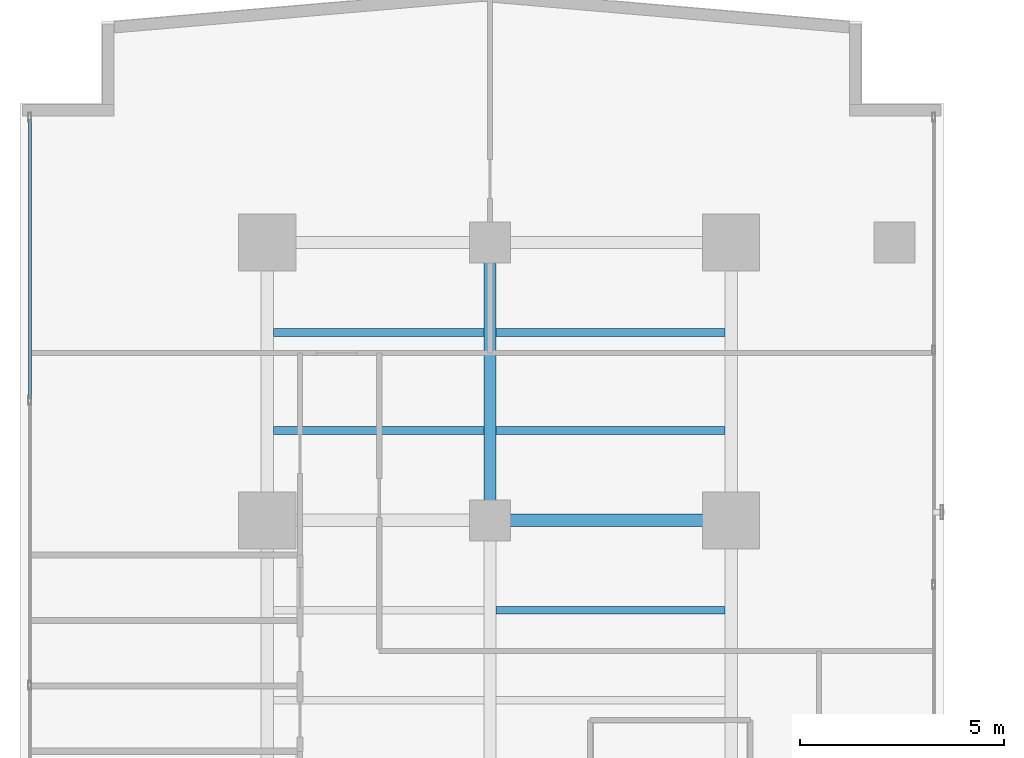
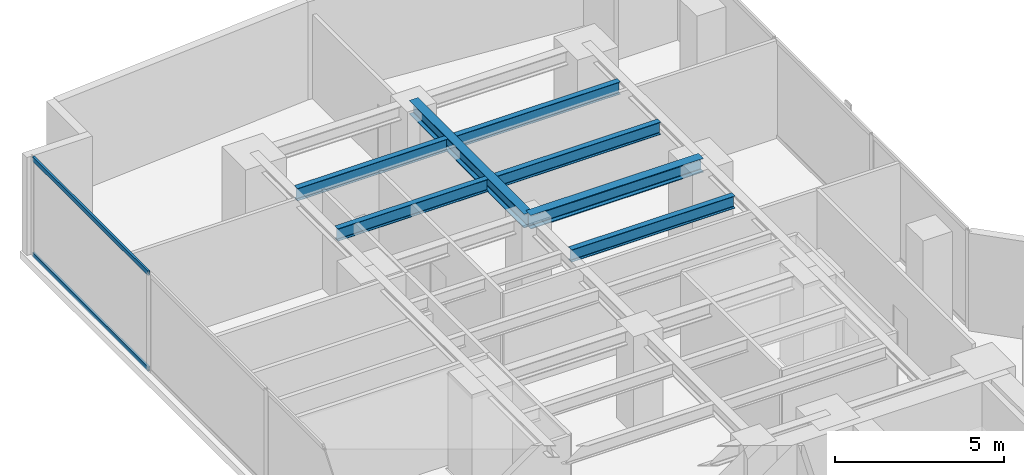
# One storey, part 17 of 29: 7 beams, 2 members, 1 element without a shape of its own.
"""IFC4 building model written with IfcOpenShell, lengths in metres."""

import ifcopenshell
import ifcopenshell.guid

model = None  # the IFC model being written
_history = None  # IfcOwnerHistory: only IFC2X3 demands one
_inside = {}  # id of a spatial element -> (the spatial element, [elements in it])
_under = {}  # id of a project, library or spatial element -> (it, [spatial elements below it])
_declared = {}  # id of a project -> (the project, [libraries it declares])
_typed = {}  # id of a type object -> (the type object, [elements of that type])
_made_of = {}  # id of a material, layer set ... -> (it, [elements and type objects made of it])


def new_model(schema):
    """Start an empty IFC model of exactly this schema.

    Asked for "IFC4X3", IfcOpenShell would pick the latest addendum, in which some entities
    have other attributes; the version numbers below select the first issue.
    IFC2X3 requires an IfcOwnerHistory on every rooted entity: one is made here for all.
    """
    global model, _history
    if schema == "IFC4X3":
        model = ifcopenshell.file(schema_version=(4, 3, 0, 0))
    else:
        model = ifcopenshell.file(schema=schema)
    _inside.clear()
    _under.clear()
    _declared.clear()
    _typed.clear()
    _made_of.clear()
    _history = None
    if model.schema == "IFC2X3":
        org = make("IfcOrganization", Name="unknown")
        user = make(
            "IfcPersonAndOrganization",
            ThePerson=make("IfcPerson", FamilyName="unknown"),
            TheOrganization=org,
        )
        app = make(
            "IfcApplication",
            ApplicationDeveloper=org,
            Version="unknown",
            ApplicationFullName="unknown",
            ApplicationIdentifier="unknown",
        )
        _history = make(
            "IfcOwnerHistory",
            OwningUser=user,
            OwningApplication=app,
            ChangeAction="ADDED",
            CreationDate=0,
        )
    return model


def make(cls, **values):
    """One entity of the class cls with the attributes given. An attribute that is None is left unset."""
    return model.create_entity(
        cls, **{name: value for name, value in values.items() if value is not None}
    )


def rooted(cls, **values):
    """An entity with a GlobalId (a new one), such as an element, a storey or a relation."""
    return make(cls, GlobalId=ifcopenshell.guid.new(), OwnerHistory=_history, **values)


def si_unit(unit_type, name, prefix=None):
    """IfcSIUnit, for example si_unit("LENGTHUNIT", "METRE", prefix="MILLI")."""
    return make("IfcSIUnit", UnitType=unit_type, Prefix=prefix, Name=name)


def assignment(units):
    """IfcUnitAssignment: the units of a project."""
    return None if units is None else make("IfcUnitAssignment", Units=units)


def point(xyz):
    """IfcCartesianPoint."""
    return None if xyz is None else make("IfcCartesianPoint", Coordinates=xyz)


def direction(xyz):
    """IfcDirection."""
    return None if xyz is None else make("IfcDirection", DirectionRatios=xyz)


def frame(location, z_axis=None, x_axis=None):
    """IfcAxis2Placement3D, a coordinate frame: its origin and axes. An axis left out is left unset."""
    return make(
        "IfcAxis2Placement3D",
        Location=point(location),
        Axis=direction(z_axis),
        RefDirection=direction(x_axis),
    )


def frame_2d(location, x_axis=None):
    """IfcAxis2Placement2D, a coordinate frame in the plane: its origin and x axis."""
    return make(
        "IfcAxis2Placement2D", Location=point(location), RefDirection=direction(x_axis)
    )


def origin():
    """The frame at (0, 0, 0) with its axes left unset."""
    return frame((0.0, 0.0, 0.0))


def origin_with_axes():
    """The frame at (0, 0, 0) with the z axis (0, 0, 1) and the x axis (1, 0, 0) written out."""
    return frame((0.0, 0.0, 0.0), z_axis=(0.0, 0.0, 1.0), x_axis=(1.0, 0.0, 0.0))


def origin_2d():
    """The frame at (0, 0) in the plane with its x axis left unset."""
    return frame_2d((0.0, 0.0))


def place(relative_to, where):
    """IfcLocalPlacement: puts the frame where relative to a parent placement (None: the world)."""
    return make(
        "IfcLocalPlacement", PlacementRelTo=relative_to, RelativePlacement=where
    )


def context(
    kind, dimensions, precision=None, world=None, true_north=None, identifier=None
):
    """IfcGeometricRepresentationContext, for example the 3D "Model" context."""
    return make(
        "IfcGeometricRepresentationContext",
        ContextIdentifier=identifier,
        ContextType=kind,
        CoordinateSpaceDimension=dimensions,
        Precision=precision,
        WorldCoordinateSystem=world,
        TrueNorth=true_north,
    )


def subcontext(parent, identifier, kind, view, scale=None):
    """IfcGeometricRepresentationSubContext, for example "Body" below "Model"."""
    return make(
        "IfcGeometricRepresentationSubContext",
        ContextIdentifier=identifier,
        ContextType=kind,
        ParentContext=parent,
        TargetScale=scale,
        TargetView=view,
    )


def project(units=None, contexts=None):
    """IfcProject with its units and contexts."""
    return rooted(
        "IfcProject",
        Name="project",
        RepresentationContexts=contexts,
        UnitsInContext=assignment(units),
    )


def spatial(cls, under=None, at=None, **own):
    """A site, building, storey or space (cls), placed at a placement, below another one or the project."""
    s = rooted(cls, ObjectPlacement=at, **own)
    if under is not None:
        _under.setdefault(under.id(), (under, []))[1].append(s)
    return s


def profile(cls, at=None, kind="AREA", **sizes):
    """A parametric profile (cls). Its sizes go by their IFC names, for example OverallWidth=200.0."""
    return make(cls, ProfileType=kind, Position=at, **sizes)


def hollow_rectangle(**sizes):
    """IfcRectangleHollowProfileDef."""
    return profile("IfcRectangleHollowProfileDef", **sizes)


def i_section(**sizes):
    """IfcIShapeProfileDef."""
    return profile("IfcIShapeProfileDef", **sizes)


def extrude(swept, where, along, depth):
    """IfcExtrudedAreaSolid: the profile swept, set in the frame where, extruded along a direction by depth."""
    return make(
        "IfcExtrudedAreaSolid",
        SweptArea=swept,
        Position=where,
        ExtrudedDirection=direction(along),
        Depth=depth,
    )


def shape(context_of_items, identifier, shape_type, items):
    """IfcShapeRepresentation: the items that make up one representation, for example the "Body"."""
    return make(
        "IfcShapeRepresentation",
        ContextOfItems=context_of_items,
        RepresentationIdentifier=identifier,
        RepresentationType=shape_type,
        Items=items,
    )


def source(mapping_origin, context_of_items, identifier, shape_type, items):
    """IfcRepresentationMap: a shape defined once, which mapped items show again and again."""
    return make(
        "IfcRepresentationMap",
        MappingOrigin=mapping_origin,
        MappedRepresentation=shape(context_of_items, identifier, shape_type, items),
    )


def transform(
    local_origin,
    x_axis=None,
    y_axis=None,
    z_axis=None,
    scale=None,
    scale2=None,
    scale3=None,
    uniform=True,
):
    """IfcCartesianTransformationOperator3D, or its non-uniform kind. x_axis, y_axis, z_axis: its Axis1, 2, 3."""
    if uniform:
        return make(
            "IfcCartesianTransformationOperator3D",
            Axis1=direction(x_axis),
            Axis2=direction(y_axis),
            LocalOrigin=point(local_origin),
            Scale=scale,
            Axis3=direction(z_axis),
        )
    return make(
        "IfcCartesianTransformationOperator3DnonUniform",
        Axis1=direction(x_axis),
        Axis2=direction(y_axis),
        LocalOrigin=point(local_origin),
        Scale=scale,
        Axis3=direction(z_axis),
        Scale2=scale2,
        Scale3=scale3,
    )


def mapped(mapping_source, mapping_target):
    """IfcMappedItem: shows the shape of a source again, moved by a transform."""
    return make(
        "IfcMappedItem", MappingSource=mapping_source, MappingTarget=mapping_target
    )


def material(Name=None, Category=None):
    """IfcMaterial."""
    return make("IfcMaterial", Name=Name, Category=Category)


def layer(
    of_material, thickness, ventilated=None, Name=None, Category=None, Priority=None
):
    """IfcMaterialLayer: one layer of a wall or slab, of a material (None: an air gap)."""
    return make(
        "IfcMaterialLayer",
        Material=of_material,
        LayerThickness=thickness,
        IsVentilated=ventilated,
        Name=Name,
        Category=Category,
        Priority=Priority,
    )


def layer_set(layers, Name=None):
    """IfcMaterialLayerSet."""
    return make("IfcMaterialLayerSet", MaterialLayers=layers, LayerSetName=Name)


def material_profile(
    of_material, cross_section, Name=None, Category=None, Priority=None
):
    """IfcMaterialProfile: a cross section and its material."""
    return make(
        "IfcMaterialProfile",
        Name=Name,
        Material=of_material,
        Profile=cross_section,
        Priority=Priority,
        Category=Category,
    )


def profile_set(profiles, Name=None, composite=None):
    """IfcMaterialProfileSet."""
    return make(
        "IfcMaterialProfileSet",
        Name=Name,
        MaterialProfiles=profiles,
        CompositeProfile=composite,
    )


def made_of(thing, what):
    """Note that an element or type object is made of a material, layer set ...; save() writes the relation."""
    if what is not None:
        _made_of.setdefault(what.id(), (what, []))[1].append(thing)
    return thing


def type_object(cls, material=None, **own):
    """A type object (cls), such as IfcWallType, which elements share."""
    return made_of(rooted(cls, **own), material)


def element(
    cls,
    number,
    at=None,
    inside=None,
    cuts=None,
    type_object=None,
    material=None,
    context=None,
    identifier="Body",
    shape_type=None,
    held_by="IfcProductDefinitionShape",
    body=None,
    shapes=None,
    **own,
):
    """One element of the class cls, such as IfcWall. Its Tag is "e" and its number.

    at: its placement. inside: the storey or other place that contains it. cuts: it is an
    opening in that element (IfcRelVoidsElement). A single representation is given by context,
    identifier, shape_type and body (its items); several are given by shapes. held_by: the class
    of the entity that holds the representations. save() writes the other relations.
    """
    e = rooted(cls, Tag="e%d" % number, ObjectPlacement=at, **own)
    if body is not None:
        shapes = [shape(context, identifier, shape_type, body)]
    if shapes is not None:
        e.Representation = make(held_by, Representations=shapes)
    if inside is not None:
        _inside.setdefault(inside.id(), (inside, []))[1].append(e)
    if cuts is not None:
        rooted(
            "IfcRelVoidsElement", RelatingBuildingElement=cuts, RelatedOpeningElement=e
        )
    if type_object is not None:
        _typed.setdefault(type_object.id(), (type_object, []))[1].append(e)
    return made_of(e, material)


def aggregate(whole, parts):
    """IfcRelAggregates: a whole, such as a stair, and the parts it consists of."""
    return rooted("IfcRelAggregates", RelatingObject=whole, RelatedObjects=parts)


def save(model, path):
    """Write the relations noted so far, then the file.

    IfcRelAggregates (storeys below a building ...), IfcRelContainedInSpatialStructure (elements
    in a storey), IfcRelDefinesByType, IfcRelAssociatesMaterial and IfcRelDeclares: one each for
    every whole, place, type object, material and project.
    """
    for whole, parts in _under.values():
        aggregate(whole, parts)
    for where, things in _inside.values():
        rooted(
            "IfcRelContainedInSpatialStructure",
            RelatedElements=things,
            RelatingStructure=where,
        )
    for kind, things in _typed.values():
        rooted("IfcRelDefinesByType", RelatedObjects=things, RelatingType=kind)
    for what, things in _made_of.values():
        rooted("IfcRelAssociatesMaterial", RelatedObjects=things, RelatingMaterial=what)
    for by, libraries in _declared.values():
        rooted("IfcRelDeclares", RelatingContext=by, RelatedDefinitions=libraries)
    model.write(path)


model = new_model("IFC4")

# Units and contexts
model_context = context("Model", 3, precision=1e-05, world=origin(), true_north=direction((0.0, 1.0)))
body_context = subcontext(model_context, "Body", "Model", "MODEL_VIEW")
ifc_project = project(units=[si_unit("LENGTHUNIT", "METRE"), si_unit("AREAUNIT", "SQUARE_METRE"), si_unit("VOLUMEUNIT", "CUBIC_METRE"), si_unit("PLANEANGLEUNIT", "RADIAN"), si_unit("MASSUNIT", "GRAM", prefix="KILO")], contexts=[model_context])

# Site, building, storey
site_placement = place(None, origin())
site = spatial("IfcSite", under=ifc_project, at=site_placement, CompositionType="ELEMENT")
building_placement = place(site_placement, origin())
building = spatial("IfcBuilding", under=site, at=building_placement, Name="Kolvaren Waterfront Exchange", CompositionType="ELEMENT")
storey_placement = place(building_placement, frame((0.0, 0.0, 129.699951171875)))
storey = spatial("IfcBuildingStorey", under=building, at=storey_placement, Name="L33", CompositionType="ELEMENT", Elevation=129.699951171875)

# Beams
ifc_material_1 = material(Name="Steel S355", Category="steel")
ifc_material_profile_1 = material_profile(ifc_material_1, i_section(OverallWidth=0.300048828125, OverallDepth=0.5, WebThickness=0.014404296875, FlangeThickness=0.028076171875, FilletRadius=0.027099609375, at=origin_2d()), Name="HEB500")
ifc_profile_set_1 = profile_set([ifc_material_profile_1], Name="Steel S355")
beam_type_1 = type_object("IfcBeamType", Name="STR-BM-HEB500", PredefinedType="BEAM", material=ifc_profile_set_1)
beam_1_placement = place(storey_placement, frame((12.89990234375, 37.800048828125, 3.2900390625), z_axis=(1.0, 0.0, 0.0), x_axis=(0.0, 1.0, 0.0)))
element("IfcBeam", 1, at=beam_1_placement, inside=storey, type_object=beam_type_1, Name="L33 north-arm girder 3B", PredefinedType="BEAM", context=body_context, shape_type="SweptSolid", body=[
    extrude(i_section(OverallWidth=0.300048828125, OverallDepth=0.5, WebThickness=0.014404296875, FlangeThickness=0.028076171875, FilletRadius=0.027099609375, at=origin_2d()), origin(), (0.0, 0.0, 1.0), 5.900146484375),
])
beam_2_placement = place(storey_placement, frame((12.89990234375, 37.800048828125, 3.2900390625), z_axis=(0.0, 1.0, 0.0), x_axis=(-1.0, 0.0, 0.0)))
element("IfcBeam", 2, at=beam_2_placement, inside=storey, type_object=beam_type_1, Name="L33 north-arm edge beam 3", PredefinedType="BEAM", context=body_context, shape_type="SweptSolid", body=[
    extrude(i_section(OverallWidth=0.300048828125, OverallDepth=0.5, WebThickness=0.014404296875, FlangeThickness=0.028076171875, FilletRadius=0.027099609375, at=origin_2d()), origin(), (0.0, 0.0, 1.0), 6.800048828125),
])
ifc_material_profile_2 = material_profile(ifc_material_1, i_section(OverallWidth=0.18994140625, OverallDepth=0.449951171875, WebThickness=0.009521484375, FlangeThickness=0.0146484375, FilletRadius=0.02099609375, at=origin_2d()), Name="IPE450")
ifc_profile_set_2 = profile_set([ifc_material_profile_2], Name="Steel S355")
beam_type_2 = type_object("IfcBeamType", Name="STR-BM-IPE450", PredefinedType="JOIST", material=ifc_profile_set_2)
beam_3_placement = place(storey_placement, frame((13.052001953125, 35.60009765625, 3.31494140625), z_axis=(1.0, 0.0, 0.0), x_axis=(0.0, 1.0, 0.0)))
element("IfcBeam", 3, at=beam_3_placement, inside=storey, type_object=beam_type_2, Name="L33 north-arm composite joist 4B", PredefinedType="JOIST", context=body_context, shape_type="SweptSolid", body=[
    extrude(i_section(OverallWidth=0.18994140625, OverallDepth=0.449951171875, WebThickness=0.009521484375, FlangeThickness=0.0146484375, FilletRadius=0.02099609375, at=origin_2d()), origin(), (0.0, 0.0, 1.0), 5.595947265625),
])
beam_4_placement = place(storey_placement, frame((7.60205078125, 40.0, 3.31494140625), z_axis=(1.0, 0.0, 0.0), x_axis=(0.0, 1.0, 0.0)))
element("IfcBeam", 4, at=beam_4_placement, inside=storey, type_object=beam_type_2, Name="L33 north-arm composite joist 5A", PredefinedType="JOIST", context=body_context, shape_type="SweptSolid", body=[
    extrude(i_section(OverallWidth=0.18994140625, OverallDepth=0.449951171875, WebThickness=0.009521484375, FlangeThickness=0.0146484375, FilletRadius=0.02099609375, at=origin_2d()), origin(), (0.0, 0.0, 1.0), 5.14599609375),
])
beam_5_placement = place(storey_placement, frame((13.052001953125, 40.0, 3.31494140625), z_axis=(1.0, 0.0, 0.0), x_axis=(0.0, 1.0, 0.0)))
element("IfcBeam", 5, at=beam_5_placement, inside=storey, type_object=beam_type_2, Name="L33 north-arm composite joist 5B", PredefinedType="JOIST", context=body_context, shape_type="SweptSolid", body=[
    extrude(i_section(OverallWidth=0.18994140625, OverallDepth=0.449951171875, WebThickness=0.009521484375, FlangeThickness=0.0146484375, FilletRadius=0.02099609375, at=origin_2d()), origin(), (0.0, 0.0, 1.0), 5.595947265625),
])
beam_6_placement = place(storey_placement, frame((7.60205078125, 42.39990234375, 3.31494140625), z_axis=(1.0, 0.0, 0.0), x_axis=(0.0, 1.0, 0.0)))
element("IfcBeam", 6, at=beam_6_placement, inside=storey, type_object=beam_type_2, Name="L33 north-arm composite joist 6A", PredefinedType="JOIST", context=body_context, shape_type="SweptSolid", body=[
    extrude(i_section(OverallWidth=0.18994140625, OverallDepth=0.449951171875, WebThickness=0.009521484375, FlangeThickness=0.0146484375, FilletRadius=0.02099609375, at=origin_2d()), origin(), (0.0, 0.0, 1.0), 5.14599609375),
])
beam_7_placement = place(storey_placement, frame((13.052001953125, 42.39990234375, 3.31494140625), z_axis=(1.0, 0.0, 0.0), x_axis=(0.0, 1.0, 0.0)))
element("IfcBeam", 7, at=beam_7_placement, inside=storey, type_object=beam_type_2, Name="L33 north-arm composite joist 6B", PredefinedType="JOIST", context=body_context, shape_type="SweptSolid", body=[
    extrude(i_section(OverallWidth=0.18994140625, OverallDepth=0.449951171875, WebThickness=0.009521484375, FlangeThickness=0.0146484375, FilletRadius=0.02099609375, at=origin_2d()), origin(), (0.0, 0.0, 1.0), 5.595947265625),
])

# Curtain wall, members
ifc_material_2 = material(Name="Anodised aluminium 6063-T6", Category="aluminium")
ifc_layer = layer(ifc_material_2, 0.219970703125, Name="Anodised aluminium 6063-T6")
ifc_layer_set = layer_set([ifc_layer], Name="Anodised aluminium 6063-T6")
curtain_wall_type = type_object("IfcCurtainWallType", Name="ARC-CW-SYS2", PredefinedType="USERDEFINED", material=ifc_layer_set)
curtain_wall_placement = place(storey_placement, origin())
curtain_wall = element("IfcCurtainWall", 8, at=curtain_wall_placement, inside=storey, type_object=curtain_wall_type, Name="L33 stick curtain wall CW2 (CW-L33-W)", ObjectType="STICK CURTAIN WALL", PredefinedType="USERDEFINED")
ifc_material_profile_3 = material_profile(ifc_material_2, hollow_rectangle(XDim=0.074951171875, YDim=0.159912109375, WallThickness=0.00439453125, at=origin_2d()), Name="ALU-TRN-160x75x4.5")
ifc_profile_set_3 = profile_set([ifc_material_profile_3], Name="Anodised aluminium 6063-T6")
member_type = type_object("IfcMemberType", Name="ARC-CWT-160", PredefinedType="USERDEFINED", material=ifc_profile_set_3)
shared_shape = source(origin_with_axes(), body_context, "Body", "SweptSolid", [
    extrude(hollow_rectangle(XDim=0.074951171875, YDim=0.159912109375, WallThickness=0.00439453125, at=origin_2d()), origin(), (0.0, 0.0, 1.0), 6.8466796875),
])
member_1_placement = place(storey_placement, frame((1.639892578125, 40.7734375, 0.03759765625), z_axis=(0.0, 1.0, 0.0), x_axis=(-1.0, 0.0, 0.0)))
member_1 = element("IfcMember", 9, at=member_1_placement, type_object=member_type, Name="CW2 transom 6.1", ObjectType="TRANSOM", PredefinedType="USERDEFINED", context=body_context, shape_type="MappedRepresentation", body=[
    mapped(shared_shape, transform((0.0, 0.0, 0.0), x_axis=(1.0, 0.0, 0.0), y_axis=(0.0, 1.0, 0.0), z_axis=(0.0, 0.0, 1.0), scale=1.0)),
])
member_2_placement = place(storey_placement, frame((1.639892578125, 40.7734375, 3.50244140625), z_axis=(0.0, 1.0, 0.0), x_axis=(-1.0, 0.0, 0.0)))
member_2 = element("IfcMember", 10, at=member_2_placement, type_object=member_type, Name="CW2 transom 6.2", ObjectType="TRANSOM", PredefinedType="USERDEFINED", context=body_context, shape_type="MappedRepresentation", body=[
    mapped(shared_shape, transform((0.0, 0.0, 0.0), x_axis=(1.0, 0.0, 0.0), y_axis=(0.0, 1.0, 0.0), z_axis=(0.0, 0.0, 1.0), scale=1.0)),
])
aggregate(curtain_wall, [member_1, member_2])

save(model, "model.ifc")
